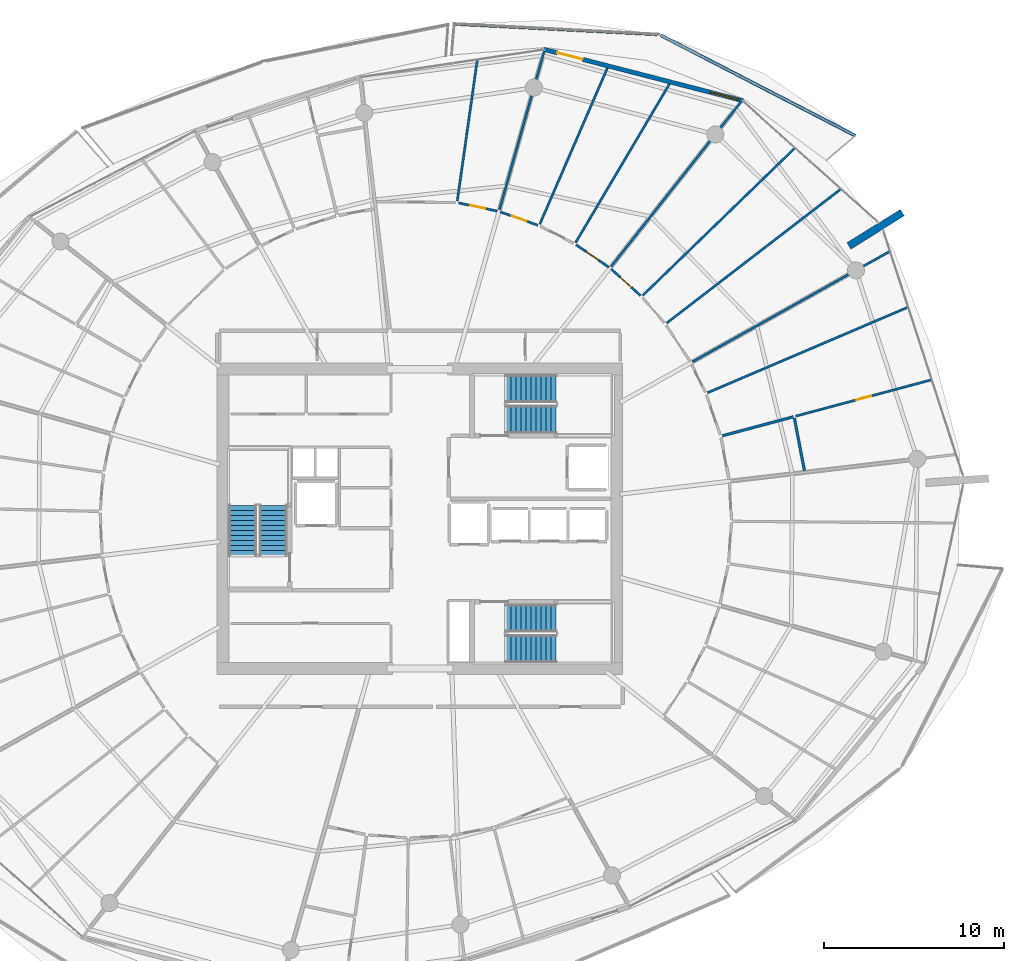
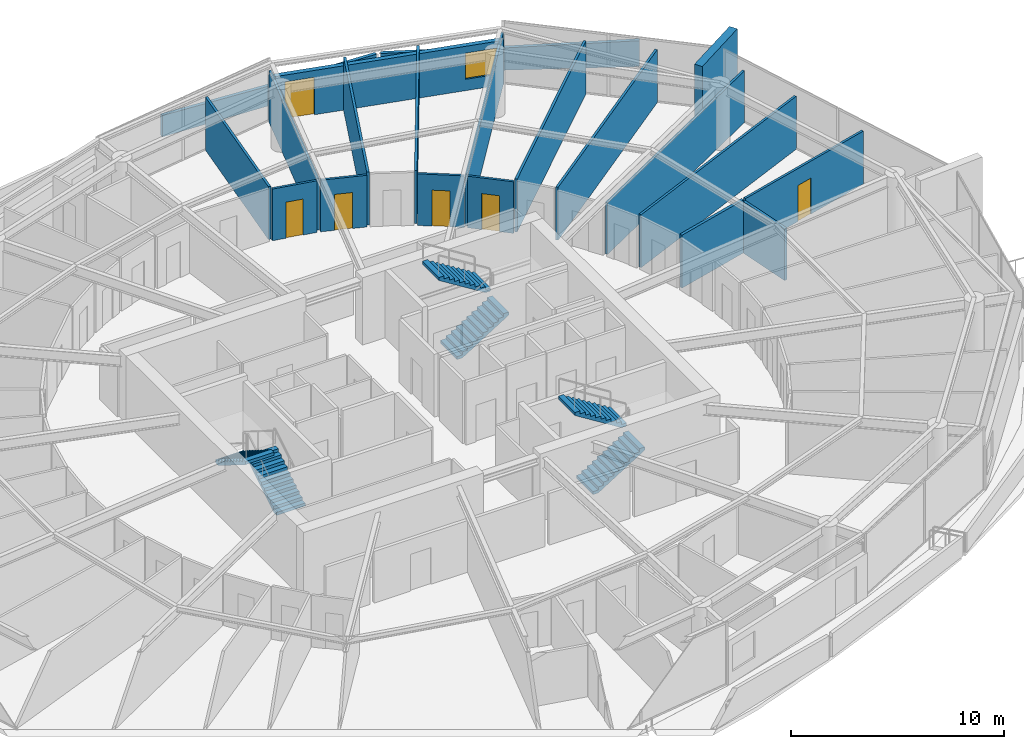
# One storey, part 24 of 31: 20 walls, 6 doors, 6 stair flights, 1 window, 7 openings, 3 elements without a shape of their own.
"""IFC4 building model written with IfcOpenShell, lengths in metres."""

from ifc_helpers import new_model, si_unit, direction, frame, frame_2d, origin, place, context, subcontext, project, spatial, polyline, rectangle, outline, extrude, material, layer, layer_set, type_object, element, fill, aggregate, save


model = new_model("IFC4")

# Units and contexts
model_context = context("Model", 3, precision=1e-05, world=origin(), true_north=direction((0.0, 1.0)))
body_context = subcontext(model_context, "Body", "Model", "MODEL_VIEW")
ifc_project = project(units=[si_unit("LENGTHUNIT", "METRE"), si_unit("AREAUNIT", "SQUARE_METRE"), si_unit("VOLUMEUNIT", "CUBIC_METRE"), si_unit("PLANEANGLEUNIT", "RADIAN"), si_unit("MASSUNIT", "GRAM", prefix="KILO")], contexts=[model_context])

# Site, building, storey
site_placement = place(None, origin())
site = spatial("IfcSite", under=ifc_project, at=site_placement, CompositionType="ELEMENT")
building_placement = place(site_placement, origin())
building = spatial("IfcBuilding", under=site, at=building_placement, Name="Kazma Halo Residences", CompositionType="ELEMENT")
storey_placement = place(building_placement, frame((0.0, 0.0, 271.35009765625)))
storey = spatial("IfcBuildingStorey", under=building, at=storey_placement, Name="L68", CompositionType="ELEMENT", Elevation=271.35009765625)

# Walls
ifc_material_1 = material(Name="White Concrete C50/60 Balustrade", Category="concrete")
ifc_layer_1 = layer(ifc_material_1, 0.179931640625)
ifc_layer_set_1 = layer_set([ifc_layer_1], Name="White Concrete C50/60 Balustrade")
wall_type_1 = type_object("IfcWallType", Name="WL-BAL-WAVE-180", PredefinedType="PARAPET", material=ifc_layer_set_1)
wall_1_placement = place(storey_placement, frame((72.63720703125, 63.3037109375, 0.0), z_axis=(0.0, 0.0, 1.0), x_axis=(-0.888586869338, 0.458708377556, 0.0)))
element("IfcWall", 1, at=wall_1_placement, inside=storey, type_object=wall_type_1, Name="L68 white wave balustrade wall NE.1", PredefinedType="PARAPET", context=body_context, shape_type="SweptSolid", body=[
    extrude(outline(polyline([(0.0, 0.0), (12.160400390625, 0.0), (12.160400390625, 1.14794921875), (6.080078125, 1.283935546875), (0.0, 1.48291015625), (0.0, 0.0)])), frame((0.0, 0.08984375, 0.0), z_axis=(0.0, -1.0, 0.0), x_axis=(1.0, 0.0, 0.0)), (0.0, 0.0, 1.0), 0.179931640625),
])
wall_2_placement = place(storey_placement, frame((61.605224609375, 68.943115234375, 0.0), z_axis=(0.0, 0.0, 1.0), x_axis=(-0.998675719667, 0.051447127692, 0.0)))
element("IfcWall", 2, at=wall_2_placement, inside=storey, type_object=wall_type_1, Name="L68 white wave balustrade wall NE.2", PredefinedType="PARAPET", context=body_context, shape_type="SweptSolid", body=[
    extrude(outline(polyline([(0.0, 0.0), (11.28466796875, 0.0), (11.284912109375, 1.223876953125), (5.642333984375, 1.126953125), (0.0, 1.14794921875), (0.0, 0.0)])), frame((0.0, 0.08984375, 0.0), z_axis=(0.0, -1.0, 0.0), x_axis=(1.0, 0.0, 0.0)), (0.0, 0.0, 1.0), 0.179931640625),
])
ifc_material_2 = material(Name="Pale Concrete C60/75", Category="concrete")
ifc_layer_2 = layer(ifc_material_2, 0.419921875)
ifc_layer_set_2 = layer_set([ifc_layer_2], Name="Pale Concrete C60/75")
wall_type_2 = type_object("IfcWallType", Name="WL-BLADE-420", PredefinedType="SOLIDWALL", material=ifc_layer_set_2)
wall_3_placement = place(storey_placement, frame((72.281494140625, 57.172607421875, 0.0), z_axis=(0.0, 0.0, 1.0), x_axis=(0.848033572426, 0.529942506352, 0.0)))
element("IfcWall", 3, at=wall_3_placement, inside=storey, type_object=wall_type_2, Name="L68 pale concrete structural blade fin wall BW-01", PredefinedType="SOLIDWALL", context=body_context, shape_type="SweptSolid", body=[
    extrude(rectangle(XDim=3.5, YDim=0.419921875, at=frame_2d((1.75, 0.0))), origin(), (0.0, 0.0, 1.0), 3.849853515625),
])

# Wall, openings, door, window
ifc_material_3 = material(Name="Insulated Pale-Metal Composite Wall")
ifc_layer_3 = layer(ifc_material_3, 0.239990234375)
ifc_layer_set_3 = layer_set([ifc_layer_3], Name="Insulated Pale-Metal Composite Wall")
wall_type_3 = type_object("IfcWallType", Name="WL-EXT-HOST-240", PredefinedType="SOLIDWALL", material=ifc_layer_set_3)
wall_4_placement = place(storey_placement, frame((66.386474609375, 65.2490234375, 0.0), z_axis=(0.0, 0.0, 1.0), x_axis=(-0.968343758421, 0.249620442927, 0.0)))
wall_4 = element("IfcWall", 4, at=wall_4_placement, inside=storey, type_object=wall_type_3, Name="L68 exterior terrace-access wall B02", PredefinedType="SOLIDWALL", context=body_context, shape_type="SweptSolid", body=[
    extrude(rectangle(XDim=11.438232421875, YDim=0.239990234375, at=frame_2d((5.71923828125, 0.0))), origin(), (0.0, 0.0, 1.0), 2.539794921875),
])
opening_1_placement = place(wall_4_placement, frame((9.21826171875, 0.0, 0.0)))
opening_1 = element("IfcOpeningElement", 5, at=opening_1_placement, cuts=wall_4, Name="Opening DTR-1600", PredefinedType="OPENING", context=body_context, shape_type="SweptSolid", body=[
    extrude(rectangle(XDim=1.449951171875, YDim=2.14990234375, at=frame_2d((0.72509765625, 1.074951171875))), frame((0.0, 0.1298828125, 0.0), z_axis=(0.0, -1.0, 0.0), x_axis=(1.0, 0.0, 0.0)), (0.0, 0.0, 1.0), 0.260009765625),
])
opening_2_placement = place(wall_4_placement, frame((0.280029296875, 0.0, 0.64990234375)))
opening_2 = element("IfcOpeningElement", 6, at=opening_2_placement, cuts=wall_4, Name="Opening W-1800", PredefinedType="OPENING", context=body_context, shape_type="SweptSolid", body=[
    extrude(rectangle(XDim=1.60009765625, YDim=1.5, at=frame_2d((0.800048828125, 0.75))), frame((0.0, 0.1298828125, 0.0), z_axis=(0.0, -1.0, 0.0), x_axis=(1.0, 0.0, 0.0)), (0.0, 0.0, 1.0), 0.260009765625),
])
ifc_material_4 = material(Name="Aluminium AW-6063 T6 Double-Glazed Terrace Door", Category="aluminium")
door_type_1 = type_object("IfcDoorType", Name="DR-EXT-TERR-1600", OperationType="NOTDEFINED", PredefinedType="DOOR", material=ifc_material_4)
door_1_placement = place(opening_1_placement, origin())
door_1 = element("IfcDoor", 7, at=door_1_placement, inside=storey, type_object=door_type_1, Name="L68 B02 balcony terrace door", OperationType="DOUBLE_DOOR_SLIDING", OverallHeight=2.14990234375, OverallWidth=1.449951171875, PredefinedType="DOOR", context=body_context, shape_type="SweptSolid", body=[
    extrude(rectangle(XDim=1.449951171875, YDim=2.14990234375, at=frame_2d((0.72509765625, 1.074951171875))), frame((0.0, 0.02490234375, 0.0), z_axis=(0.0, -1.0, 0.0), x_axis=(1.0, 0.0, 0.0)), (0.0, 0.0, 1.0), 0.050048828125),
])
fill(opening_1, door_1)
ifc_material_5 = material(Name="Clear Triple-Silver Low-E Glass in Aluminium AW-6063 T6 Frame", Category="aluminium")
window_type = type_object("IfcWindowType", Name="WIN-RES-1800", PartitioningType="DOUBLE_PANEL_VERTICAL", PredefinedType="WINDOW", material=ifc_material_5)
window_placement = place(opening_2_placement, origin())
window = element("IfcWindow", 8, at=window_placement, inside=storey, type_object=window_type, Name="L68 B02 apartment window", OverallHeight=1.5, OverallWidth=1.60009765625, PartitioningType="SINGLE_PANEL", PredefinedType="WINDOW", context=body_context, shape_type="SweptSolid", body=[
    extrude(rectangle(XDim=1.60009765625, YDim=1.5, at=frame_2d((0.800048828125, 0.75))), frame((0.0, 0.030029296875, 0.0), z_axis=(0.0, -1.0, 0.0), x_axis=(1.0, 0.0, 0.0)), (0.0, 0.0, 1.0), 0.06005859375),
])
fill(opening_2, window)

# Wall, opening, door
ifc_material_6 = material(Name="Gypsum Plasterboard Partition")
ifc_layer_4 = layer(ifc_material_6, 0.125)
ifc_layer_set_4 = layer_set([ifc_layer_4], Name="Gypsum Plasterboard Partition")
wall_type_4 = type_object("IfcWallType", Name="WL-PART-125", PredefinedType="PARTITIONING", material=ifc_layer_set_4)
wall_5_placement = place(storey_placement, frame((69.31640625, 47.705810546875, 0.0), z_axis=(0.0, 0.0, 1.0), x_axis=(0.965994578585, 0.258562321587, 0.0)))
wall_5 = element("IfcWall", 9, at=wall_5_placement, inside=storey, type_object=wall_type_4, Name="L68 Apartment 2 Gulf Walk-In Wardrobe partition wall", PredefinedType="PARTITIONING", context=body_context, shape_type="SweptSolid", body=[
    extrude(rectangle(XDim=7.819091796875, YDim=0.125, at=frame_2d((3.90966796875, 0.0))), origin(), (0.0, 0.0, 1.0), 3.02978515625),
])
opening_3_placement = place(wall_5_placement, frame((3.484619140625, 0.0, 0.0)))
opening_3 = element("IfcOpeningElement", 10, at=opening_3_placement, cuts=wall_5, Name="Opening DB-900", PredefinedType="OPENING", context=body_context, shape_type="SweptSolid", body=[
    extrude(rectangle(XDim=0.85009765625, YDim=2.06005859375, at=frame_2d((0.425048828125, 1.030029296875))), frame((0.0, 0.072509765625, 0.0), z_axis=(0.0, -1.0, 0.0), x_axis=(1.0, 0.0, 0.0)), (0.0, 0.0, 1.0), 0.14501953125),
])
ifc_material_7 = material(Name="Moisture-Sealed Timber Leaf", Category="wood")
door_type_2 = type_object("IfcDoorType", Name="DR-BTH-900", OperationType="NOTDEFINED", PredefinedType="DOOR", material=ifc_material_7)
door_2_placement = place(opening_3_placement, origin())
door_2 = element("IfcDoor", 11, at=door_2_placement, inside=storey, type_object=door_type_2, Name="L68 Apartment 2 Gulf Walk-In Wardrobe door", OperationType="SINGLE_SWING_LEFT", OverallHeight=2.06005859375, OverallWidth=0.85009765625, PredefinedType="DOOR", context=body_context, shape_type="SweptSolid", body=[
    extrude(rectangle(XDim=0.85009765625, YDim=2.06005859375, at=frame_2d((0.425048828125, 1.030029296875))), frame((0.0, 0.02490234375, 0.0), z_axis=(0.0, -1.0, 0.0), x_axis=(1.0, 0.0, 0.0)), (0.0, 0.0, 1.0), 0.050048828125),
])
fill(opening_3, door_2)

# Walls
wall_6_placement = place(storey_placement, frame((64.4140625, 49.006591796875, 0.0), z_axis=(0.0, 0.0, 1.0), x_axis=(0.919713089111, 0.392591178858, 0.0)))
element("IfcWall", 12, at=wall_6_placement, inside=storey, type_object=wall_type_4, Name="L68 Apartment 2 suite divider 15", PredefinedType="PARTITIONING", context=body_context, shape_type="SweptSolid", body=[
    extrude(rectangle(XDim=12.1171875, YDim=0.125, at=frame_2d((6.05859375, 0.0))), origin(), (0.0, 0.0, 1.0), 3.02978515625),
])
wall_7_placement = place(storey_placement, frame((63.580078125, 50.725341796875, 0.0), z_axis=(0.0, 0.0, 1.0), x_axis=(0.872497075405, 0.488619333847, 0.0)))
element("IfcWall", 13, at=wall_7_placement, inside=storey, type_object=wall_type_4, Name="L68 Apartment 2 radial partition 0", PredefinedType="PARTITIONING", context=body_context, shape_type="SweptSolid", body=[
    extrude(rectangle(XDim=12.57275390625, YDim=0.125, at=frame_2d((6.286376953125, 0.0))), origin(), (0.0, 0.0, 1.0), 2.956787109375),
])
wall_8_placement = place(storey_placement, frame((62.144775390625, 52.883056640625, 0.0), z_axis=(0.0, 0.0, 1.0), x_axis=(0.792559235325, 0.609794931514, 0.0)))
element("IfcWall", 14, at=wall_8_placement, inside=storey, type_object=wall_type_4, Name="L68 Apartment 2 bay wall 1 0", PredefinedType="PARTITIONING", context=body_context, shape_type="SweptSolid", body=[
    extrude(rectangle(XDim=12.19482421875, YDim=0.125, at=frame_2d((6.097412109375, 0.0))), origin(), (0.0, 0.0, 1.0), 3.02978515625),
])
wall_9_placement = place(storey_placement, frame((60.81640625, 54.419921875, 0.0), z_axis=(0.0, 0.0, 1.0), x_axis=(0.718125449467, 0.695913671965, 0.0)))
element("IfcWall", 15, at=wall_9_placement, inside=storey, type_object=wall_type_4, Name="L68 Apartment 2 bay wall 2 0", PredefinedType="PARTITIONING", context=body_context, shape_type="SweptSolid", body=[
    extrude(rectangle(XDim=11.760986328125, YDim=0.125, at=frame_2d((5.88037109375, 0.0))), origin(), (0.0, 0.0, 1.0), 3.02978515625),
])

# Wall, opening, door
wall_10_placement = place(storey_placement, frame((60.6923828125, 54.410888671875, 0.0), z_axis=(0.0, 0.0, 1.0), x_axis=(-0.742216123335, 0.670160597365, 0.0)))
wall_10 = element("IfcWall", 16, at=wall_10_placement, inside=storey, type_object=wall_type_4, Name="L68 Apartment 2 North Master Bedroom hall wall", PredefinedType="PARTITIONING", context=body_context, shape_type="SweptSolid", body=[
    extrude(rectangle(XDim=2.209228515625, YDim=0.125, at=frame_2d((1.1044921875, 0.0))), origin(), (0.0, 0.0, 1.0), 2.956787109375),
])
opening_4_placement = place(wall_10_placement, frame((0.6796875, 0.0, 0.0)))
opening_4 = element("IfcOpeningElement", 17, at=opening_4_placement, cuts=wall_10, Name="Opening DB-900", PredefinedType="OPENING", context=body_context, shape_type="SweptSolid", body=[
    extrude(rectangle(XDim=0.85009765625, YDim=2.06005859375, at=frame_2d((0.425048828125, 1.030029296875))), frame((0.0, 0.072509765625, 0.0), z_axis=(0.0, -1.0, 0.0), x_axis=(1.0, 0.0, 0.0)), (0.0, 0.0, 1.0), 0.14501953125),
])
door_3_placement = place(opening_4_placement, origin())
door_3 = element("IfcDoor", 18, at=door_3_placement, inside=storey, type_object=door_type_2, Name="L68 Apartment 2 North Master Bedroom door", OperationType="SINGLE_SWING_RIGHT", OverallHeight=2.06005859375, OverallWidth=0.85009765625, PredefinedType="DOOR", context=body_context, shape_type="SweptSolid", body=[
    extrude(rectangle(XDim=0.85009765625, YDim=2.06005859375, at=frame_2d((0.425048828125, 1.030029296875))), frame((0.0, 0.02490234375, 0.0), z_axis=(0.0, -1.0, 0.0), x_axis=(1.0, 0.0, 0.0)), (0.0, 0.0, 1.0), 0.050048828125),
])
fill(opening_4, door_3)

# Walls
wall_11_placement = place(storey_placement, frame((59.05517578125, 56.0234375, 0.0), z_axis=(0.0, 0.0, 1.0), x_axis=(0.619096573209, 0.785314862358, 0.0)))
element("IfcWall", 19, at=wall_11_placement, inside=storey, type_object=wall_type_4, Name="L68 Apartment 2 radial partition 1", PredefinedType="PARTITIONING", context=body_context, shape_type="SweptSolid", body=[
    extrude(rectangle(XDim=11.738525390625, YDim=0.125, at=frame_2d((5.869140625, 0.0))), origin(), (0.0, 0.0, 1.0), 2.956787109375),
])
wall_12_placement = place(storey_placement, frame((57.084716796875, 57.36181640625, 0.0), z_axis=(0.0, 0.0, 1.0), x_axis=(0.509063310171, 0.860729078304, 0.0)))
element("IfcWall", 20, at=wall_12_placement, inside=storey, type_object=wall_type_4, Name="L68 Apartment 2 bay wall 1 1", PredefinedType="PARTITIONING", context=body_context, shape_type="SweptSolid", body=[
    extrude(rectangle(XDim=10.243408203125, YDim=0.125, at=frame_2d((5.12158203125, 0.0))), origin(), (0.0, 0.0, 1.0), 3.02978515625),
])
wall_13_placement = place(storey_placement, frame((55.087890625, 58.379150390625, 0.0), z_axis=(0.0, 0.0, 1.0), x_axis=(0.397148424815, 0.917754394523, 0.0)))
element("IfcWall", 21, at=wall_13_placement, inside=storey, type_object=wall_type_4, Name="L68 Apartment 2 bay wall 2 1", PredefinedType="PARTITIONING", context=body_context, shape_type="SweptSolid", body=[
    extrude(rectangle(XDim=9.46435546875, YDim=0.125, at=frame_2d((4.732177734375, 0.0))), origin(), (0.0, 0.0, 1.0), 3.02978515625),
])

# Wall, opening, door
wall_14_placement = place(storey_placement, frame((58.92724609375, 55.989990234375, 0.0), z_axis=(0.0, 0.0, 1.0), x_axis=(-0.824840756185, 0.565365127096, 0.0)))
wall_14 = element("IfcWall", 22, at=wall_14_placement, inside=storey, type_object=wall_type_4, Name="L68 Apartment 2 South Bedroom hall wall", PredefinedType="PARTITIONING", context=body_context, shape_type="SweptSolid", body=[
    extrude(rectangle(XDim=2.209228515625, YDim=0.125, at=frame_2d((1.1044921875, 0.0))), origin(), (0.0, 0.0, 1.0), 2.956787109375),
])
opening_5_placement = place(wall_14_placement, frame((0.6796875, 0.0, 0.0)))
opening_5 = element("IfcOpeningElement", 23, at=opening_5_placement, cuts=wall_14, Name="Opening DB-900", PredefinedType="OPENING", context=body_context, shape_type="SweptSolid", body=[
    extrude(rectangle(XDim=0.85009765625, YDim=2.06005859375, at=frame_2d((0.425048828125, 1.030029296875))), frame((0.0, 0.072509765625, 0.0), z_axis=(0.0, -1.0, 0.0), x_axis=(1.0, 0.0, 0.0)), (0.0, 0.0, 1.0), 0.14501953125),
])
door_4_placement = place(opening_5_placement, origin())
door_4 = element("IfcDoor", 24, at=door_4_placement, inside=storey, type_object=door_type_2, Name="L68 Apartment 2 South Bedroom door", OperationType="SINGLE_SWING_LEFT", OverallHeight=2.06005859375, OverallWidth=0.85009765625, PredefinedType="DOOR", context=body_context, shape_type="SweptSolid", body=[
    extrude(rectangle(XDim=0.85009765625, YDim=2.06005859375, at=frame_2d((0.425048828125, 1.030029296875))), frame((0.0, 0.02490234375, 0.0), z_axis=(0.0, -1.0, 0.0), x_axis=(1.0, 0.0, 0.0)), (0.0, 0.0, 1.0), 0.050048828125),
])
fill(opening_5, door_4)

wall_15_placement = place(storey_placement, frame((54.976806640625, 58.323486328125, 0.0), z_axis=(0.0, 0.0, 1.0), x_axis=(-0.942218566557, 0.334998765423, 0.0)))
wall_15 = element("IfcWall", 25, at=wall_15_placement, inside=storey, type_object=wall_type_4, Name="L68 Apartment 2 Outer Bedroom hall wall", PredefinedType="PARTITIONING", context=body_context, shape_type="SweptSolid", body=[
    extrude(rectangle(XDim=2.208984375, YDim=0.125, at=frame_2d((1.1044921875, 0.0))), origin(), (0.0, 0.0, 1.0), 2.956787109375),
])
opening_6_placement = place(wall_15_placement, frame((0.679443359375, 0.0, 0.0)))
opening_6 = element("IfcOpeningElement", 26, at=opening_6_placement, cuts=wall_15, Name="Opening DB-900", PredefinedType="OPENING", context=body_context, shape_type="SweptSolid", body=[
    extrude(rectangle(XDim=0.85009765625, YDim=2.06005859375, at=frame_2d((0.425048828125, 1.030029296875))), frame((0.0, 0.072509765625, 0.0), z_axis=(0.0, -1.0, 0.0), x_axis=(1.0, 0.0, 0.0)), (0.0, 0.0, 1.0), 0.14501953125),
])
door_5_placement = place(opening_6_placement, origin())
door_5 = element("IfcDoor", 27, at=door_5_placement, inside=storey, type_object=door_type_2, Name="L68 Apartment 2 Outer Bedroom door", OperationType="SINGLE_SWING_LEFT", OverallHeight=2.06005859375, OverallWidth=0.85009765625, PredefinedType="DOOR", context=body_context, shape_type="SweptSolid", body=[
    extrude(rectangle(XDim=0.85009765625, YDim=2.06005859375, at=frame_2d((0.425048828125, 1.030029296875))), frame((0.0, 0.02490234375, 0.0), z_axis=(0.0, -1.0, 0.0), x_axis=(1.0, 0.0, 0.0)), (0.0, 0.0, 1.0), 0.050048828125),
])
fill(opening_6, door_5)

# Walls
wall_16_placement = place(storey_placement, frame((52.84716796875, 59.1865234375, 0.0), z_axis=(0.0, 0.0, 1.0), x_axis=(0.271434117828, 0.96245702225, 0.0)))
element("IfcWall", 28, at=wall_16_placement, inside=storey, type_object=wall_type_4, Name="L68 Apartment 2 radial partition 2", PredefinedType="PARTITIONING", context=body_context, shape_type="SweptSolid", body=[
    extrude(rectangle(XDim=9.127685546875, YDim=0.125, at=frame_2d((4.56396484375, 0.0))), origin(), (0.0, 0.0, 1.0), 2.956787109375),
])
wall_17_placement = place(storey_placement, frame((50.500732421875, 59.6708984375, 0.0), z_axis=(0.0, 0.0, 1.0), x_axis=(0.140142335256, 0.990131367986, 0.0)))
element("IfcWall", 29, at=wall_17_placement, inside=storey, type_object=wall_type_4, Name="L68 Apartment 2 mid-bay wall 2", PredefinedType="PARTITIONING", context=body_context, shape_type="SweptSolid", body=[
    extrude(rectangle(XDim=7.910888671875, YDim=0.125, at=frame_2d((3.95556640625, 0.0))), origin(), (0.0, 0.0, 1.0), 3.02978515625),
])

# Wall, opening, door
wall_18_placement = place(storey_placement, frame((52.72216796875, 59.11083984375, 0.0), z_axis=(0.0, 0.0, 1.0), x_axis=(-0.978503905914, 0.206228286399, 0.0)))
wall_18 = element("IfcWall", 30, at=wall_18_placement, inside=storey, type_object=wall_type_4, Name="L68 Apartment 2 Corner Bedroom hall wall", PredefinedType="PARTITIONING", context=body_context, shape_type="SweptSolid", body=[
    extrude(rectangle(XDim=2.203125, YDim=0.125, at=frame_2d((1.1015625, 0.0))), origin(), (0.0, 0.0, 1.0), 2.956787109375),
])
opening_7_placement = place(wall_18_placement, frame((0.676513671875, 0.0, 0.0)))
opening_7 = element("IfcOpeningElement", 31, at=opening_7_placement, cuts=wall_18, Name="Opening DB-900", PredefinedType="OPENING", context=body_context, shape_type="SweptSolid", body=[
    extrude(rectangle(XDim=0.85009765625, YDim=2.06005859375, at=frame_2d((0.425048828125, 1.030029296875))), frame((0.0, 0.072509765625, 0.0), z_axis=(0.0, -1.0, 0.0), x_axis=(1.0, 0.0, 0.0)), (0.0, 0.0, 1.0), 0.14501953125),
])
door_6_placement = place(opening_7_placement, origin())
door_6 = element("IfcDoor", 32, at=door_6_placement, inside=storey, type_object=door_type_2, Name="L68 Apartment 2 Corner Bedroom door", OperationType="SINGLE_SWING_LEFT", OverallHeight=2.06005859375, OverallWidth=0.85009765625, PredefinedType="DOOR", context=body_context, shape_type="SweptSolid", body=[
    extrude(rectangle(XDim=0.85009765625, YDim=2.06005859375, at=frame_2d((0.425048828125, 1.030029296875))), frame((0.0, 0.02490234375, 0.0), z_axis=(0.0, -1.0, 0.0), x_axis=(1.0, 0.0, 0.0)), (0.0, 0.0, 1.0), 0.050048828125),
])
fill(opening_7, door_6)

# Walls
ifc_material_8 = material(Name="Moisture-Resistant Gypsum")
ifc_layer_5 = layer(ifc_material_8, 0.14990234375)
ifc_layer_set_5 = layer_set([ifc_layer_5], Name="Moisture-Resistant Gypsum")
wall_type_5 = type_object("IfcWallType", Name="WL-WET-150", PredefinedType="PARTITIONING", material=ifc_layer_set_5)
wall_19_placement = place(storey_placement, frame((69.805908203125, 44.681396484375, 0.0), z_axis=(0.0, 0.0, 1.0), x_axis=(-0.188590920909, 0.982055733933, 0.0)))
element("IfcWall", 33, at=wall_19_placement, inside=storey, type_object=wall_type_5, Name="L68 Apartment 2 Sky En-Suite Bathroom back wall", PredefinedType="PARTITIONING", context=body_context, shape_type="SweptSolid", body=[
    extrude(rectangle(XDim=2.9658203125, YDim=0.14990234375, at=frame_2d((1.48291015625, 0.0))), origin(), (0.0, 0.0, 1.0), 2.956787109375),
])
wall_20_placement = place(storey_placement, frame((65.239990234375, 46.61474609375, 0.0), z_axis=(0.0, 0.0, 1.0), x_axis=(0.9660037078, 0.258528212228, 0.0)))
element("IfcWall", 34, at=wall_20_placement, inside=storey, type_object=wall_type_5, Name="L68 Apartment 2 Sky En-Suite Bathroom side wall", PredefinedType="PARTITIONING", context=body_context, shape_type="SweptSolid", body=[
    extrude(rectangle(XDim=4.090087890625, YDim=0.14990234375, at=frame_2d((2.044921875, 0.0))), origin(), (0.0, 0.0, 1.0), 3.02978515625),
])

# Stair, stair flights
ifc_material_9 = material(Name="Concrete C50/60", Category="concrete")
stair_type = type_object("IfcStairType", Name="STR-RES2", PredefinedType="HALF_TURN_STAIR", material=ifc_material_9)
stair_1_placement = place(storey_placement, origin())
stair_1 = element("IfcStair", 35, at=stair_1_placement, inside=storey, type_object=stair_type, Name="L68 Core exit stair ST-01", PredefinedType="HALF_TURN_STAIR")
stair_flight_type = type_object("IfcStairFlightType", Name="STR-RES2-FLT", PredefinedType="STRAIGHT", material=ifc_material_9)
stair_flight_1_placement = place(storey_placement, frame((40.27490234375, 39.949951171875, 0.0), z_axis=(0.0, 0.0, 1.0), x_axis=(0.0, 1.0, 0.0)))
stair_flight_1 = element("IfcStairFlight", 36, at=stair_flight_1_placement, type_object=stair_flight_type, Name="ST-01 flight 1", NumberOfRisers=11, NumberOfTreads=10, PredefinedType="STRAIGHT", RiserHeight=0.175, TreadLength=0.28, context=body_context, shape_type="SweptSolid", body=[
    extrude(outline(polyline([(0.0, 0.0), (0.0, 0.175048828125), (0.280029296875, 0.175048828125), (0.280029296875, 0.35009765625), (0.56005859375, 0.35009765625), (0.56005859375, 0.52490234375), (0.840087890625, 0.52490234375), (0.840087890625, 0.699951171875), (1.1201171875, 0.699951171875), (1.1201171875, 0.875), (1.39990234375, 0.875), (1.39990234375, 1.050048828125), (1.679931640625, 1.050048828125), (1.679931640625, 1.22509765625), (1.9599609375, 1.22509765625), (1.9599609375, 1.39990234375), (2.239990234375, 1.39990234375), (2.239990234375, 1.574951171875), (2.52001953125, 1.574951171875), (2.52001953125, 1.75), (2.800048828125, 1.75), (2.800048828125, 1.925048828125), (2.800048828125, 1.5732421875), (0.28271484375, 0.0), (0.0, 0.0)])), frame((0.0, 0.77490234375, 0.0), z_axis=(0.0, -1.0, 0.0), x_axis=(1.0, 0.0, 0.0)), (0.0, 0.0, 1.0), 1.550048828125),
])
stair_flight_2_placement = place(storey_placement, frame((38.574951171875, 42.75, 1.9248046875), z_axis=(0.0, 0.0, 1.0), x_axis=(0.0, -1.0, 0.0)))
stair_flight_2 = element("IfcStairFlight", 37, at=stair_flight_2_placement, type_object=stair_flight_type, Name="ST-01 flight 2", NumberOfRisers=11, NumberOfTreads=10, PredefinedType="STRAIGHT", RiserHeight=0.175, TreadLength=0.28, context=body_context, shape_type="SweptSolid", body=[
    extrude(outline(polyline([(0.0, 0.0), (0.0, 0.175048828125), (0.280029296875, 0.175048828125), (0.280029296875, 0.35009765625), (0.56005859375, 0.35009765625), (0.56005859375, 0.52490234375), (0.840087890625, 0.52490234375), (0.840087890625, 0.699951171875), (1.1201171875, 0.699951171875), (1.1201171875, 0.875), (1.39990234375, 0.875), (1.39990234375, 1.050048828125), (1.679931640625, 1.050048828125), (1.679931640625, 1.22509765625), (1.9599609375, 1.22509765625), (1.9599609375, 1.39990234375), (2.239990234375, 1.39990234375), (2.239990234375, 1.574951171875), (2.52001953125, 1.574951171875), (2.52001953125, 1.75), (2.800048828125, 1.75), (2.800048828125, 1.925048828125), (2.800048828125, 1.5732421875), (0.28271484375, 0.0), (0.0, 0.0)])), frame((0.0, 0.77490234375, 0.0), z_axis=(0.0, -1.0, 0.0), x_axis=(1.0, 0.0, 0.0)), (0.0, 0.0, 1.0), 1.550048828125),
])
aggregate(stair_1, [stair_flight_1, stair_flight_2])

stair_2_placement = place(storey_placement, origin())
stair_2 = element("IfcStair", 38, at=stair_2_placement, inside=storey, type_object=stair_type, Name="L68 Core exit stair ST-02", PredefinedType="HALF_TURN_STAIR")
stair_flight_3_placement = place(storey_placement, frame((53.199951171875, 47.52490234375, 0.0), z_axis=(0.0, 0.0, 1.0), x_axis=(1.0, 0.0, 0.0)))
stair_flight_3 = element("IfcStairFlight", 39, at=stair_flight_3_placement, type_object=stair_flight_type, Name="ST-02 flight 1", NumberOfRisers=11, NumberOfTreads=10, PredefinedType="STRAIGHT", RiserHeight=0.175, TreadLength=0.28, context=body_context, shape_type="SweptSolid", body=[
    extrude(outline(polyline([(0.0, 0.0), (0.0, 0.175048828125), (0.280029296875, 0.175048828125), (0.280029296875, 0.35009765625), (0.56005859375, 0.35009765625), (0.56005859375, 0.52490234375), (0.840087890625, 0.52490234375), (0.840087890625, 0.699951171875), (1.1201171875, 0.699951171875), (1.1201171875, 0.875), (1.39990234375, 0.875), (1.39990234375, 1.050048828125), (1.679931640625, 1.050048828125), (1.679931640625, 1.22509765625), (1.9599609375, 1.22509765625), (1.9599609375, 1.39990234375), (2.239990234375, 1.39990234375), (2.239990234375, 1.574951171875), (2.52001953125, 1.574951171875), (2.52001953125, 1.75), (2.800048828125, 1.75), (2.800048828125, 1.925048828125), (2.800048828125, 1.5732421875), (0.28271484375, 0.0), (0.0, 0.0)])), frame((0.0, 0.77490234375, 0.0), z_axis=(0.0, -1.0, 0.0), x_axis=(1.0, 0.0, 0.0)), (0.0, 0.0, 1.0), 1.550048828125),
])
stair_flight_4_placement = place(storey_placement, frame((56.0, 49.22509765625, 1.9248046875), z_axis=(0.0, 0.0, 1.0), x_axis=(-1.0, 0.0, 0.0)))
stair_flight_4 = element("IfcStairFlight", 40, at=stair_flight_4_placement, type_object=stair_flight_type, Name="ST-02 flight 2", NumberOfRisers=11, NumberOfTreads=10, PredefinedType="STRAIGHT", RiserHeight=0.175, TreadLength=0.28, context=body_context, shape_type="SweptSolid", body=[
    extrude(outline(polyline([(0.0, 0.0), (0.0, 0.175048828125), (0.280029296875, 0.175048828125), (0.280029296875, 0.35009765625), (0.56005859375, 0.35009765625), (0.56005859375, 0.52490234375), (0.840087890625, 0.52490234375), (0.840087890625, 0.699951171875), (1.1201171875, 0.699951171875), (1.1201171875, 0.875), (1.39990234375, 0.875), (1.39990234375, 1.050048828125), (1.679931640625, 1.050048828125), (1.679931640625, 1.22509765625), (1.9599609375, 1.22509765625), (1.9599609375, 1.39990234375), (2.239990234375, 1.39990234375), (2.239990234375, 1.574951171875), (2.52001953125, 1.574951171875), (2.52001953125, 1.75), (2.800048828125, 1.75), (2.800048828125, 1.925048828125), (2.800048828125, 1.5732421875), (0.28271484375, 0.0), (0.0, 0.0)])), frame((0.0, 0.77490234375, 0.0), z_axis=(0.0, -1.0, 0.0), x_axis=(1.0, 0.0, 0.0)), (0.0, 0.0, 1.0), 1.550048828125),
])
aggregate(stair_2, [stair_flight_3, stair_flight_4])

stair_3_placement = place(storey_placement, origin())
stair_3 = element("IfcStair", 41, at=stair_3_placement, inside=storey, type_object=stair_type, Name="L68 Core exit stair ST-03", PredefinedType="HALF_TURN_STAIR")
stair_flight_5_placement = place(storey_placement, frame((53.199951171875, 34.77490234375, 0.0), z_axis=(0.0, 0.0, 1.0), x_axis=(1.0, 0.0, 0.0)))
stair_flight_5 = element("IfcStairFlight", 42, at=stair_flight_5_placement, type_object=stair_flight_type, Name="ST-03 flight 1", NumberOfRisers=11, NumberOfTreads=10, PredefinedType="STRAIGHT", RiserHeight=0.175, TreadLength=0.28, context=body_context, shape_type="SweptSolid", body=[
    extrude(outline(polyline([(0.0, 0.0), (0.0, 0.175048828125), (0.280029296875, 0.175048828125), (0.280029296875, 0.35009765625), (0.56005859375, 0.35009765625), (0.56005859375, 0.52490234375), (0.840087890625, 0.52490234375), (0.840087890625, 0.699951171875), (1.1201171875, 0.699951171875), (1.1201171875, 0.875), (1.39990234375, 0.875), (1.39990234375, 1.050048828125), (1.679931640625, 1.050048828125), (1.679931640625, 1.22509765625), (1.9599609375, 1.22509765625), (1.9599609375, 1.39990234375), (2.239990234375, 1.39990234375), (2.239990234375, 1.574951171875), (2.52001953125, 1.574951171875), (2.52001953125, 1.75), (2.800048828125, 1.75), (2.800048828125, 1.925048828125), (2.800048828125, 1.5732421875), (0.28271484375, 0.0), (0.0, 0.0)])), frame((0.0, 0.77490234375, 0.0), z_axis=(0.0, -1.0, 0.0), x_axis=(1.0, 0.0, 0.0)), (0.0, 0.0, 1.0), 1.550048828125),
])
stair_flight_6_placement = place(storey_placement, frame((56.0, 36.47509765625, 1.9248046875), z_axis=(0.0, 0.0, 1.0), x_axis=(-1.0, 0.0, 0.0)))
stair_flight_6 = element("IfcStairFlight", 43, at=stair_flight_6_placement, type_object=stair_flight_type, Name="ST-03 flight 2", NumberOfRisers=11, NumberOfTreads=10, PredefinedType="STRAIGHT", RiserHeight=0.175, TreadLength=0.28, context=body_context, shape_type="SweptSolid", body=[
    extrude(outline(polyline([(0.0, 0.0), (0.0, 0.175048828125), (0.280029296875, 0.175048828125), (0.280029296875, 0.35009765625), (0.56005859375, 0.35009765625), (0.56005859375, 0.52490234375), (0.840087890625, 0.52490234375), (0.840087890625, 0.699951171875), (1.1201171875, 0.699951171875), (1.1201171875, 0.875), (1.39990234375, 0.875), (1.39990234375, 1.050048828125), (1.679931640625, 1.050048828125), (1.679931640625, 1.22509765625), (1.9599609375, 1.22509765625), (1.9599609375, 1.39990234375), (2.239990234375, 1.39990234375), (2.239990234375, 1.574951171875), (2.52001953125, 1.574951171875), (2.52001953125, 1.75), (2.800048828125, 1.75), (2.800048828125, 1.925048828125), (2.800048828125, 1.5732421875), (0.28271484375, 0.0), (0.0, 0.0)])), frame((0.0, 0.77490234375, 0.0), z_axis=(0.0, -1.0, 0.0), x_axis=(1.0, 0.0, 0.0)), (0.0, 0.0, 1.0), 1.550048828125),
])
aggregate(stair_3, [stair_flight_5, stair_flight_6])

save(model, "model.ifc")
